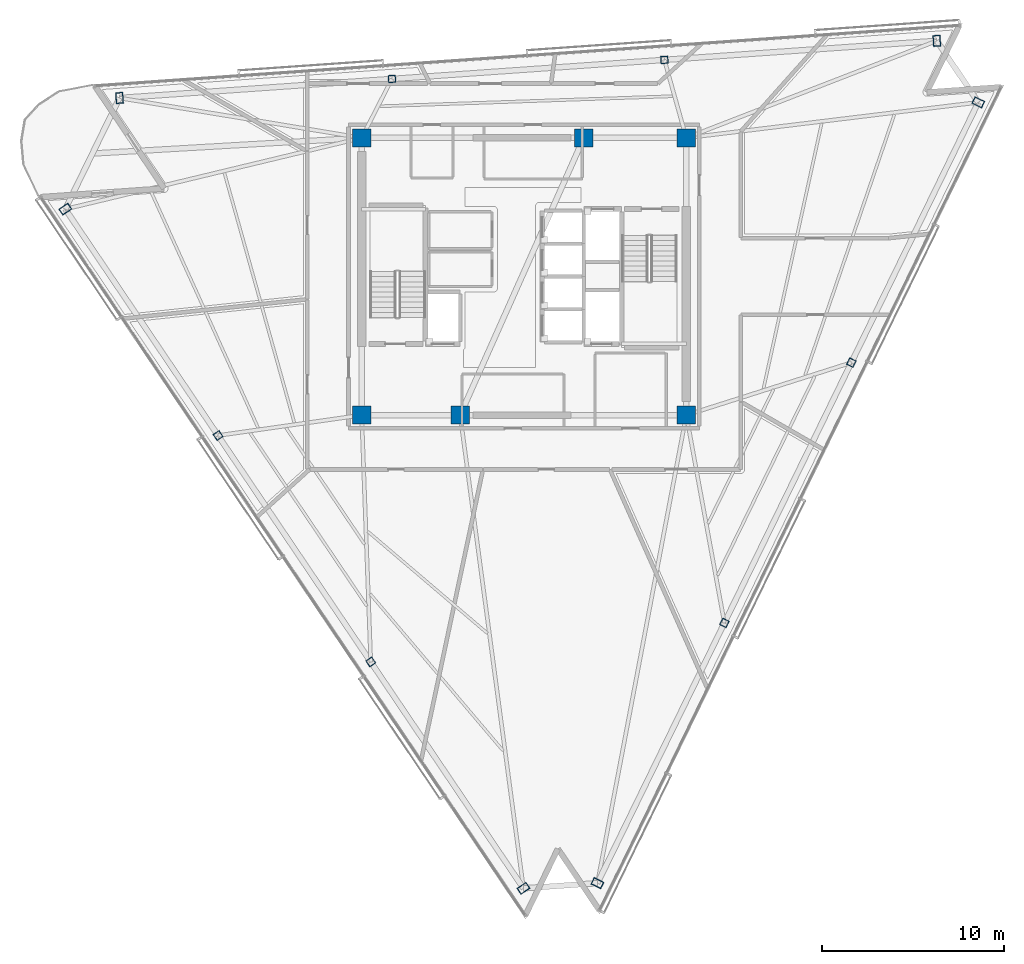
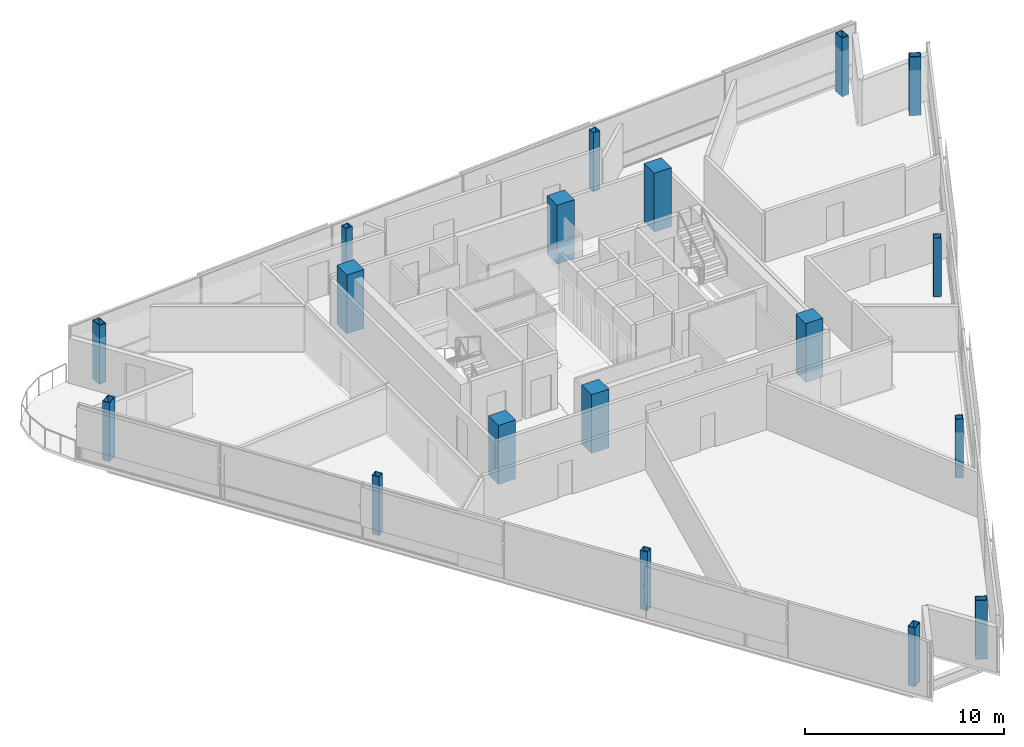
# One storey, part 1 of 16: 18 columns.
"""IFC4 building model written with IfcOpenShell, lengths in metres."""

from ifc_helpers import new_model, si_unit, direction, frame, origin, origin_2d, place, context, subcontext, project, spatial, rectangle, hollow_rectangle, extrude, material, material_profile, profile_set, type_object, element, save


model = new_model("IFC4")

# Units and contexts
model_context = context("Model", 3, precision=1e-05, world=origin(), true_north=direction((0.0, 1.0)))
body_context = subcontext(model_context, "Body", "Model", "MODEL_VIEW")
ifc_project = project(units=[si_unit("LENGTHUNIT", "METRE"), si_unit("AREAUNIT", "SQUARE_METRE"), si_unit("VOLUMEUNIT", "CUBIC_METRE"), si_unit("PLANEANGLEUNIT", "RADIAN"), si_unit("MASSUNIT", "GRAM", prefix="KILO")], contexts=[model_context])

# Site, building, storey
site_placement = place(None, origin())
site = spatial("IfcSite", under=ifc_project, at=site_placement, CompositionType="ELEMENT")
building_placement = place(site_placement, origin())
building = spatial("IfcBuilding", under=site, at=building_placement, Name="Tharavind Bronze Gate", CompositionType="ELEMENT")
storey_placement = place(building_placement, frame((0.0, 0.0, 260.60009765625)))
storey = spatial("IfcBuildingStorey", under=building, at=storey_placement, Name="L67", CompositionType="ELEMENT", Elevation=260.60009765625)

# Columns
ifc_material_1 = material(Name="Steel S460", Category="steel")
ifc_material_profile_1 = material_profile(ifc_material_1, hollow_rectangle(XDim=0.39990234375, YDim=0.60009765625, WallThickness=0.030029296875, at=origin_2d()), Name="RHS600X400X30")
ifc_profile_set_1 = profile_set([ifc_material_profile_1], Name="Steel S460")
column_type_1 = type_object("IfcColumnType", Name="CORNER NOTCH COLUMN RHS600X400", PredefinedType="COLUMN", material=ifc_profile_set_1)
for number, where, z_axis, x_axis, name in (
    (1, (-25.14990234375, 3.694580078125, 0.0), (0.0, 0.0, 1.0), (-0.559192903471, 0.829037572555, 0.0), "L67 perimeter column S1C1"),
    (2, (-0.02880859375, -33.549072265625, 0.0), (0.0, 0.0, 1.0), (-0.559192903471, 0.829037572555, 0.0), "L67 perimeter column S1C4"),
    (3, (4.029296875, -33.26513671875, 0.0), (0.0, 0.0, 1.0), (0.43837271548, 0.898793281196, 0.0), "L67 perimeter column S2C1"),
    (4, (24.91162109375, 9.5498046875, 0.0), (0.0, 0.0, 1.0), (0.43837271548, 0.898793281196, 0.0), "L67 perimeter column S2C4"),
    (5, (22.636962890625, 12.92236328125, 0.0), (0.0, 0.0, 1.0), (0.99756392851, 0.069758214822, 0.0), "L67 perimeter column S3C1"),
    (6, (-22.177490234375, 9.78857421875, 0.0), (0.0, 0.0, 1.0), (0.99756392851, 0.069758214822, 0.0), "L67 perimeter column S3C4"),
):
    element("IfcColumn", number, at=place(storey_placement, frame(where, z_axis=z_axis, x_axis=x_axis)), inside=storey, type_object=column_type_1, Name=name, PredefinedType="COLUMN", context=body_context, shape_type="SweptSolid", body=[
        extrude(hollow_rectangle(XDim=0.39990234375, YDim=0.60009765625, WallThickness=0.030029296875, at=origin_2d()), origin(), (0.0, 0.0, 1.0), 3.599853515625),
    ])
ifc_material_2 = material(Name="Concrete C50/60", Category="concrete")
ifc_material_profile_2 = material_profile(ifc_material_2, rectangle(XDim=1.0, YDim=1.0, at=origin_2d()), Name="RCCOL1000")
ifc_profile_set_2 = profile_set([ifc_material_profile_2], Name="Concrete C50/60")
column_type_2 = type_object("IfcColumnType", Name="MEGA CORE COLUMN 1000", PredefinedType="COLUMN", material=ifc_profile_set_2)
for number, where, z_axis, x_axis, name in (
    (7, (-8.89990234375, -7.60009765625, 0.0), (0.0, 0.0, 1.0), (1.0, 0.0, 0.0), "L67 core mega column MC1"),
    (8, (-3.5, -7.60009765625, 0.0), (0.0, 0.0, 1.0), (1.0, 0.0, 0.0), "L67 core mega column MC2"),
    (9, (8.89990234375, -7.60009765625, 0.0), (0.0, 0.0, 1.0), (1.0, 0.0, 0.0), "L67 core mega column MC3"),
    (10, (8.89990234375, 7.60009765625, 0.0), (0.0, 0.0, 1.0), (1.0, 0.0, 0.0), "L67 core mega column MC4"),
    (11, (3.280029296875, 7.60009765625, 0.0), (0.0, 0.0, 1.0), (1.0, 0.0, 0.0), "L67 core mega column MC5"),
    (12, (-8.89990234375, 7.60009765625, 0.0), (0.0, 0.0, 1.0), (1.0, 0.0, 0.0), "L67 core mega column MC6"),
):
    element("IfcColumn", number, at=place(storey_placement, frame(where, z_axis=z_axis, x_axis=x_axis)), inside=storey, type_object=column_type_2, Name=name, PredefinedType="COLUMN", context=body_context, shape_type="SweptSolid", body=[
        extrude(rectangle(XDim=1.0, YDim=1.0, at=origin_2d()), origin(), (0.0, 0.0, 1.0), 3.599853515625),
    ])
ifc_material_profile_3 = material_profile(ifc_material_1, hollow_rectangle(XDim=0.39990234375, YDim=0.39990234375, WallThickness=0.02490234375, at=origin_2d()), Name="SHS400X25")
ifc_profile_set_3 = profile_set([ifc_material_profile_3], Name="Steel S460")
column_type_3 = type_object("IfcColumnType", Name="PERIMETER BOX COLUMN SHS400", PredefinedType="COLUMN", material=ifc_profile_set_3)
for number, where, z_axis, x_axis, name in (
    (13, (-16.776123046875, -8.719970703125, 0.0), (0.0, 0.0, 1.0), (-0.559192903471, 0.829037572555, 0.0), "L67 perimeter column S1C2"),
    (14, (-8.40234375, -21.134521484375, 0.0), (0.0, 0.0, 1.0), (-0.559192903471, 0.829037572555, 0.0), "L67 perimeter column S1C3"),
    (15, (10.990234375, -18.99365234375, 0.0), (0.0, 0.0, 1.0), (0.43837271548, 0.898793281196, 0.0), "L67 perimeter column S2C2"),
    (16, (17.950927734375, -4.721923828125, 0.0), (0.0, 0.0, 1.0), (0.43837271548, 0.898793281196, 0.0), "L67 perimeter column S2C3"),
    (17, (7.69873046875, 11.877685546875, 0.0), (0.0, 0.0, 1.0), (0.99756392851, 0.069758214822, 0.0), "L67 perimeter column S3C2"),
    (18, (-7.239501953125, 10.8330078125, 0.0), (0.0, 0.0, 1.0), (0.99756392851, 0.069758214822, 0.0), "L67 perimeter column S3C3"),
):
    element("IfcColumn", number, at=place(storey_placement, frame(where, z_axis=z_axis, x_axis=x_axis)), inside=storey, type_object=column_type_3, Name=name, PredefinedType="COLUMN", context=body_context, shape_type="SweptSolid", body=[
        extrude(hollow_rectangle(XDim=0.39990234375, YDim=0.39990234375, WallThickness=0.02490234375, at=origin_2d()), origin(), (0.0, 0.0, 1.0), 3.599853515625),
    ])

save(model, "model.ifc")
